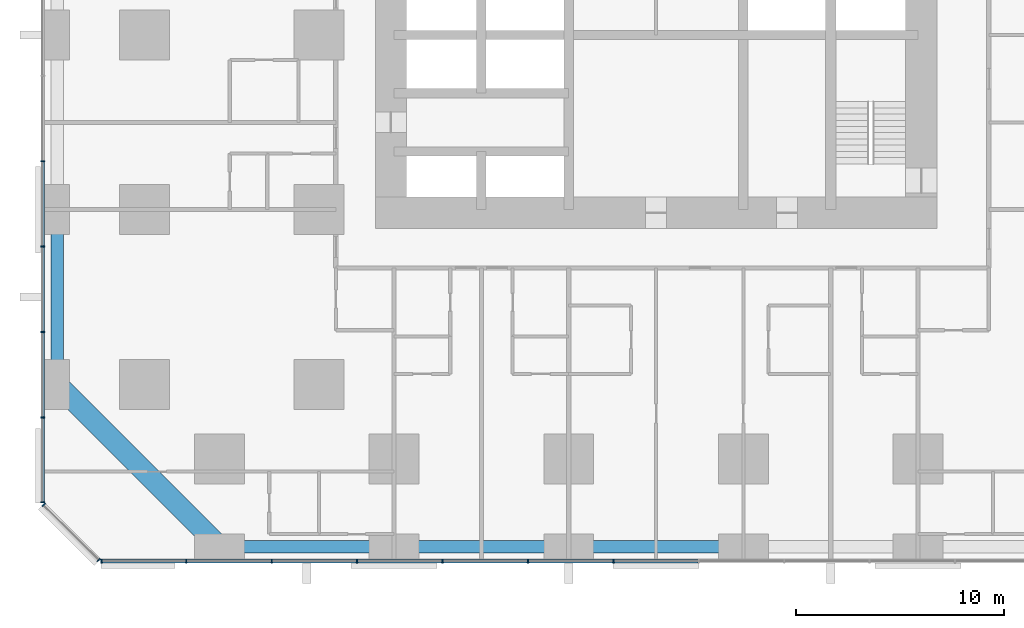
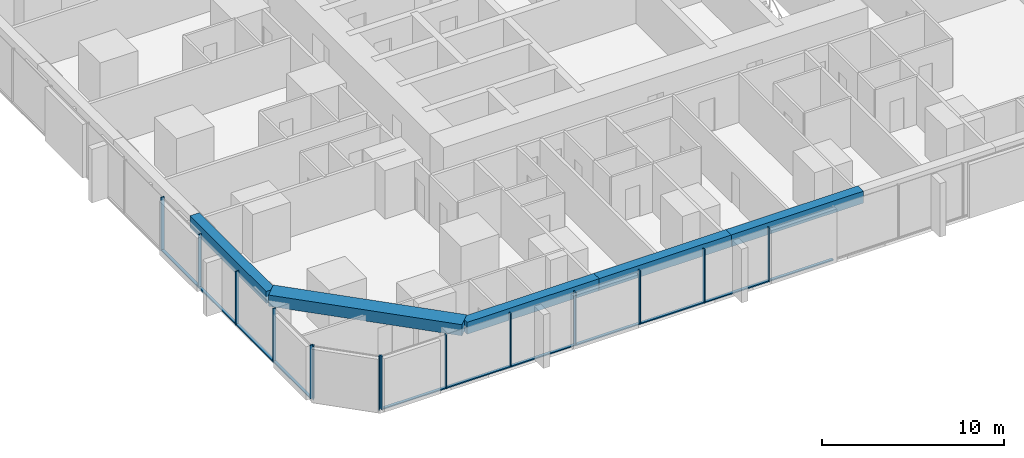
# One storey, part 2 of 17: 25 members, 5 beams, 3 elements without a shape of their own.
"""IFC4 building model written with IfcOpenShell, lengths in metres."""

import ifcopenshell
import ifcopenshell.guid

model = None  # the IFC model being written
_history = None  # IfcOwnerHistory: only IFC2X3 demands one
_inside = {}  # id of a spatial element -> (the spatial element, [elements in it])
_under = {}  # id of a project, library or spatial element -> (it, [spatial elements below it])
_declared = {}  # id of a project -> (the project, [libraries it declares])
_typed = {}  # id of a type object -> (the type object, [elements of that type])
_made_of = {}  # id of a material, layer set ... -> (it, [elements and type objects made of it])


def new_model(schema):
    """Start an empty IFC model of exactly this schema.

    Asked for "IFC4X3", IfcOpenShell would pick the latest addendum, in which some entities
    have other attributes; the version numbers below select the first issue.
    IFC2X3 requires an IfcOwnerHistory on every rooted entity: one is made here for all.
    """
    global model, _history
    if schema == "IFC4X3":
        model = ifcopenshell.file(schema_version=(4, 3, 0, 0))
    else:
        model = ifcopenshell.file(schema=schema)
    _inside.clear()
    _under.clear()
    _declared.clear()
    _typed.clear()
    _made_of.clear()
    _history = None
    if model.schema == "IFC2X3":
        org = make("IfcOrganization", Name="unknown")
        user = make(
            "IfcPersonAndOrganization",
            ThePerson=make("IfcPerson", FamilyName="unknown"),
            TheOrganization=org,
        )
        app = make(
            "IfcApplication",
            ApplicationDeveloper=org,
            Version="unknown",
            ApplicationFullName="unknown",
            ApplicationIdentifier="unknown",
        )
        _history = make(
            "IfcOwnerHistory",
            OwningUser=user,
            OwningApplication=app,
            ChangeAction="ADDED",
            CreationDate=0,
        )
    return model


def make(cls, **values):
    """One entity of the class cls with the attributes given. An attribute that is None is left unset."""
    return model.create_entity(
        cls, **{name: value for name, value in values.items() if value is not None}
    )


def rooted(cls, **values):
    """An entity with a GlobalId (a new one), such as an element, a storey or a relation."""
    return make(cls, GlobalId=ifcopenshell.guid.new(), OwnerHistory=_history, **values)


def si_unit(unit_type, name, prefix=None):
    """IfcSIUnit, for example si_unit("LENGTHUNIT", "METRE", prefix="MILLI")."""
    return make("IfcSIUnit", UnitType=unit_type, Prefix=prefix, Name=name)


def assignment(units):
    """IfcUnitAssignment: the units of a project."""
    return None if units is None else make("IfcUnitAssignment", Units=units)


def point(xyz):
    """IfcCartesianPoint."""
    return None if xyz is None else make("IfcCartesianPoint", Coordinates=xyz)


def direction(xyz):
    """IfcDirection."""
    return None if xyz is None else make("IfcDirection", DirectionRatios=xyz)


def frame(location, z_axis=None, x_axis=None):
    """IfcAxis2Placement3D, a coordinate frame: its origin and axes. An axis left out is left unset."""
    return make(
        "IfcAxis2Placement3D",
        Location=point(location),
        Axis=direction(z_axis),
        RefDirection=direction(x_axis),
    )


def frame_2d(location, x_axis=None):
    """IfcAxis2Placement2D, a coordinate frame in the plane: its origin and x axis."""
    return make(
        "IfcAxis2Placement2D", Location=point(location), RefDirection=direction(x_axis)
    )


def origin():
    """The frame at (0, 0, 0) with its axes left unset."""
    return frame((0.0, 0.0, 0.0))


def origin_2d():
    """The frame at (0, 0) in the plane with its x axis left unset."""
    return frame_2d((0.0, 0.0))


def place(relative_to, where):
    """IfcLocalPlacement: puts the frame where relative to a parent placement (None: the world)."""
    return make(
        "IfcLocalPlacement", PlacementRelTo=relative_to, RelativePlacement=where
    )


def context(
    kind, dimensions, precision=None, world=None, true_north=None, identifier=None
):
    """IfcGeometricRepresentationContext, for example the 3D "Model" context."""
    return make(
        "IfcGeometricRepresentationContext",
        ContextIdentifier=identifier,
        ContextType=kind,
        CoordinateSpaceDimension=dimensions,
        Precision=precision,
        WorldCoordinateSystem=world,
        TrueNorth=true_north,
    )


def subcontext(parent, identifier, kind, view, scale=None):
    """IfcGeometricRepresentationSubContext, for example "Body" below "Model"."""
    return make(
        "IfcGeometricRepresentationSubContext",
        ContextIdentifier=identifier,
        ContextType=kind,
        ParentContext=parent,
        TargetScale=scale,
        TargetView=view,
    )


def project(units=None, contexts=None):
    """IfcProject with its units and contexts."""
    return rooted(
        "IfcProject",
        Name="project",
        RepresentationContexts=contexts,
        UnitsInContext=assignment(units),
    )


def spatial(cls, under=None, at=None, **own):
    """A site, building, storey or space (cls), placed at a placement, below another one or the project."""
    s = rooted(cls, ObjectPlacement=at, **own)
    if under is not None:
        _under.setdefault(under.id(), (under, []))[1].append(s)
    return s


def profile(cls, at=None, kind="AREA", **sizes):
    """A parametric profile (cls). Its sizes go by their IFC names, for example OverallWidth=200.0."""
    return make(cls, ProfileType=kind, Position=at, **sizes)


def rectangle(**sizes):
    """IfcRectangleProfileDef."""
    return profile("IfcRectangleProfileDef", **sizes)


def extrude(swept, where, along, depth):
    """IfcExtrudedAreaSolid: the profile swept, set in the frame where, extruded along a direction by depth."""
    return make(
        "IfcExtrudedAreaSolid",
        SweptArea=swept,
        Position=where,
        ExtrudedDirection=direction(along),
        Depth=depth,
    )


def shape(context_of_items, identifier, shape_type, items):
    """IfcShapeRepresentation: the items that make up one representation, for example the "Body"."""
    return make(
        "IfcShapeRepresentation",
        ContextOfItems=context_of_items,
        RepresentationIdentifier=identifier,
        RepresentationType=shape_type,
        Items=items,
    )


def material(Name=None, Category=None):
    """IfcMaterial."""
    return make("IfcMaterial", Name=Name, Category=Category)


def material_profile(
    of_material, cross_section, Name=None, Category=None, Priority=None
):
    """IfcMaterialProfile: a cross section and its material."""
    return make(
        "IfcMaterialProfile",
        Name=Name,
        Material=of_material,
        Profile=cross_section,
        Priority=Priority,
        Category=Category,
    )


def profile_set(profiles, Name=None, composite=None):
    """IfcMaterialProfileSet."""
    return make(
        "IfcMaterialProfileSet",
        Name=Name,
        MaterialProfiles=profiles,
        CompositeProfile=composite,
    )


def made_of(thing, what):
    """Note that an element or type object is made of a material, layer set ...; save() writes the relation."""
    if what is not None:
        _made_of.setdefault(what.id(), (what, []))[1].append(thing)
    return thing


def type_object(cls, material=None, **own):
    """A type object (cls), such as IfcWallType, which elements share."""
    return made_of(rooted(cls, **own), material)


def element(
    cls,
    number,
    at=None,
    inside=None,
    cuts=None,
    type_object=None,
    material=None,
    context=None,
    identifier="Body",
    shape_type=None,
    held_by="IfcProductDefinitionShape",
    body=None,
    shapes=None,
    **own,
):
    """One element of the class cls, such as IfcWall. Its Tag is "e" and its number.

    at: its placement. inside: the storey or other place that contains it. cuts: it is an
    opening in that element (IfcRelVoidsElement). A single representation is given by context,
    identifier, shape_type and body (its items); several are given by shapes. held_by: the class
    of the entity that holds the representations. save() writes the other relations.
    """
    e = rooted(cls, Tag="e%d" % number, ObjectPlacement=at, **own)
    if body is not None:
        shapes = [shape(context, identifier, shape_type, body)]
    if shapes is not None:
        e.Representation = make(held_by, Representations=shapes)
    if inside is not None:
        _inside.setdefault(inside.id(), (inside, []))[1].append(e)
    if cuts is not None:
        rooted(
            "IfcRelVoidsElement", RelatingBuildingElement=cuts, RelatedOpeningElement=e
        )
    if type_object is not None:
        _typed.setdefault(type_object.id(), (type_object, []))[1].append(e)
    return made_of(e, material)


def aggregate(whole, parts):
    """IfcRelAggregates: a whole, such as a stair, and the parts it consists of."""
    return rooted("IfcRelAggregates", RelatingObject=whole, RelatedObjects=parts)


def save(model, path):
    """Write the relations noted so far, then the file.

    IfcRelAggregates (storeys below a building ...), IfcRelContainedInSpatialStructure (elements
    in a storey), IfcRelDefinesByType, IfcRelAssociatesMaterial and IfcRelDeclares: one each for
    every whole, place, type object, material and project.
    """
    for whole, parts in _under.values():
        aggregate(whole, parts)
    for where, things in _inside.values():
        rooted(
            "IfcRelContainedInSpatialStructure",
            RelatedElements=things,
            RelatingStructure=where,
        )
    for kind, things in _typed.values():
        rooted("IfcRelDefinesByType", RelatedObjects=things, RelatingType=kind)
    for what, things in _made_of.values():
        rooted("IfcRelAssociatesMaterial", RelatedObjects=things, RelatingMaterial=what)
    for by, libraries in _declared.values():
        rooted("IfcRelDeclares", RelatingContext=by, RelatedDefinitions=libraries)
    model.write(path)


model = new_model("IFC4")

# Units and contexts
model_context = context("Model", 3, precision=1e-05, world=origin(), true_north=direction((0.0, 1.0)))
body_context = subcontext(model_context, "Body", "Model", "MODEL_VIEW")
ifc_project = project(units=[si_unit("LENGTHUNIT", "METRE"), si_unit("AREAUNIT", "SQUARE_METRE"), si_unit("VOLUMEUNIT", "CUBIC_METRE"), si_unit("PLANEANGLEUNIT", "RADIAN"), si_unit("MASSUNIT", "GRAM", prefix="KILO")], contexts=[model_context])

# Site, building, storey
site_placement = place(None, origin())
site = spatial("IfcSite", under=ifc_project, at=site_placement, CompositionType="ELEMENT")
building_placement = place(site_placement, origin())
building = spatial("IfcBuilding", under=site, at=building_placement, Name="Dunama Terrace Hotel", CompositionType="ELEMENT")
storey_placement = place(building_placement, frame((0.0, 0.0, 81.0)))
storey = spatial("IfcBuildingStorey", under=building, at=storey_placement, Name="L20", CompositionType="ELEMENT", Elevation=81.0)

# Curtain wall, members
ifc_material_1 = material(Name="Aluminium curtain wall system", Category="aluminium")
curtain_wall_type = type_object("IfcCurtainWallType", Name="Unitised fritted glass wall CW-A", PredefinedType="NOTDEFINED", material=ifc_material_1)
curtain_wall_1_placement = place(storey_placement, origin())
curtain_wall_1 = element("IfcCurtainWall", 1, at=curtain_wall_1_placement, inside=storey, type_object=curtain_wall_type, Name="Unitised fritted glass wall CW-A L20", PredefinedType="NOTDEFINED")
ifc_material_2 = material(Name="Aluminium mullion", Category="aluminium")
ifc_material_profile_1 = material_profile(ifc_material_2, rectangle(XDim=0.06494140625, YDim=0.199951171875, at=origin_2d()), Name="CWA MULLION 65X200")
ifc_profile_set_1 = profile_set([ifc_material_profile_1], Name="Aluminium mullion")
member_type_1 = type_object("IfcMemberType", Name="CWA mullion 65x200", PredefinedType="MULLION", material=ifc_profile_set_1)
member_1_placement = place(storey_placement, frame((2.73291015625, -0.10009765625, 0.0), z_axis=(0.0, 0.0, 1.0), x_axis=(1.0, 0.0, 0.0)))
member_1 = element("IfcMember", 2, at=member_1_placement, type_object=member_type_1, Name="CWA mullion", PredefinedType="MULLION", context=body_context, shape_type="SweptSolid", body=[
    extrude(rectangle(XDim=0.06494140625, YDim=0.199951171875, at=origin_2d()), origin(), (0.0, 0.0, 1.0), 3.60009765625),
])
member_2_placement = place(storey_placement, frame((6.80810546875, -0.10009765625, 0.0), z_axis=(0.0, 0.0, 1.0), x_axis=(1.0, 0.0, 0.0)))
member_2 = element("IfcMember", 3, at=member_2_placement, type_object=member_type_1, Name="CWA mullion", PredefinedType="MULLION", context=body_context, shape_type="SweptSolid", body=[
    extrude(rectangle(XDim=0.06494140625, YDim=0.199951171875, at=origin_2d()), origin(), (0.0, 0.0, 1.0), 3.60009765625),
])
member_3_placement = place(storey_placement, frame((10.9150390625, -0.10009765625, 0.0), z_axis=(0.0, 0.0, 1.0), x_axis=(1.0, 0.0, 0.0)))
member_3 = element("IfcMember", 4, at=member_3_placement, type_object=member_type_1, Name="CWA mullion", PredefinedType="MULLION", context=body_context, shape_type="SweptSolid", body=[
    extrude(rectangle(XDim=0.06494140625, YDim=0.199951171875, at=origin_2d()), origin(), (0.0, 0.0, 1.0), 3.60009765625),
])
member_4_placement = place(storey_placement, frame((15.02294921875, -0.10009765625, 0.0), z_axis=(0.0, 0.0, 1.0), x_axis=(1.0, 0.0, 0.0)))
member_4 = element("IfcMember", 5, at=member_4_placement, type_object=member_type_1, Name="CWA mullion", PredefinedType="MULLION", context=body_context, shape_type="SweptSolid", body=[
    extrude(rectangle(XDim=0.06494140625, YDim=0.199951171875, at=origin_2d()), origin(), (0.0, 0.0, 1.0), 3.60009765625),
])
member_5_placement = place(storey_placement, frame((19.131103515625, -0.10009765625, 0.0), z_axis=(0.0, 0.0, 1.0), x_axis=(1.0, 0.0, 0.0)))
member_5 = element("IfcMember", 6, at=member_5_placement, type_object=member_type_1, Name="CWA mullion", PredefinedType="MULLION", context=body_context, shape_type="SweptSolid", body=[
    extrude(rectangle(XDim=0.06494140625, YDim=0.199951171875, at=origin_2d()), origin(), (0.0, 0.0, 1.0), 3.60009765625),
])
member_6_placement = place(storey_placement, frame((23.238037109375, -0.10009765625, 0.0), z_axis=(0.0, 0.0, 1.0), x_axis=(1.0, 0.0, 0.0)))
member_6 = element("IfcMember", 7, at=member_6_placement, type_object=member_type_1, Name="CWA mullion", PredefinedType="MULLION", context=body_context, shape_type="SweptSolid", body=[
    extrude(rectangle(XDim=0.06494140625, YDim=0.199951171875, at=origin_2d()), origin(), (0.0, 0.0, 1.0), 3.60009765625),
])
member_7_placement = place(storey_placement, frame((27.345947265625, -0.10009765625, 0.0), z_axis=(0.0, 0.0, 1.0), x_axis=(1.0, 0.0, 0.0)))
member_7 = element("IfcMember", 8, at=member_7_placement, type_object=member_type_1, Name="CWA mullion", PredefinedType="MULLION", context=body_context, shape_type="SweptSolid", body=[
    extrude(rectangle(XDim=0.06494140625, YDim=0.199951171875, at=origin_2d()), origin(), (0.0, 0.0, 1.0), 3.60009765625),
])

curtain_wall_2_placement = place(storey_placement, origin())
curtain_wall_2 = element("IfcCurtainWall", 9, at=curtain_wall_2_placement, inside=storey, type_object=curtain_wall_type, Name="Unitised fritted glass wall CW-A L20", PredefinedType="NOTDEFINED")
member_8_placement = place(storey_placement, frame((-0.10009765625, 19.131103515625, 0.0), z_axis=(0.0, 0.0, 1.0), x_axis=(0.0, -1.0, 0.0)))
member_8 = element("IfcMember", 10, at=member_8_placement, type_object=member_type_1, Name="CWA mullion", PredefinedType="MULLION", context=body_context, shape_type="SweptSolid", body=[
    extrude(rectangle(XDim=0.06494140625, YDim=0.199951171875, at=origin_2d()), origin(), (0.0, 0.0, 1.0), 3.60009765625),
])
member_9_placement = place(storey_placement, frame((-0.10009765625, 15.02294921875, 0.0), z_axis=(0.0, 0.0, 1.0), x_axis=(0.0, -1.0, 0.0)))
member_9 = element("IfcMember", 11, at=member_9_placement, type_object=member_type_1, Name="CWA mullion", PredefinedType="MULLION", context=body_context, shape_type="SweptSolid", body=[
    extrude(rectangle(XDim=0.06494140625, YDim=0.199951171875, at=origin_2d()), origin(), (0.0, 0.0, 1.0), 3.60009765625),
])
member_10_placement = place(storey_placement, frame((-0.10009765625, 10.9150390625, 0.0), z_axis=(0.0, 0.0, 1.0), x_axis=(0.0, -1.0, 0.0)))
member_10 = element("IfcMember", 12, at=member_10_placement, type_object=member_type_1, Name="CWA mullion", PredefinedType="MULLION", context=body_context, shape_type="SweptSolid", body=[
    extrude(rectangle(XDim=0.06494140625, YDim=0.199951171875, at=origin_2d()), origin(), (0.0, 0.0, 1.0), 3.60009765625),
])
member_11_placement = place(storey_placement, frame((-0.10009765625, 6.80810546875, 0.0), z_axis=(0.0, 0.0, 1.0), x_axis=(0.0, -1.0, 0.0)))
member_11 = element("IfcMember", 13, at=member_11_placement, type_object=member_type_1, Name="CWA mullion", PredefinedType="MULLION", context=body_context, shape_type="SweptSolid", body=[
    extrude(rectangle(XDim=0.06494140625, YDim=0.199951171875, at=origin_2d()), origin(), (0.0, 0.0, 1.0), 3.60009765625),
])
member_12_placement = place(storey_placement, frame((-0.10009765625, 2.73291015625, 0.0), z_axis=(0.0, 0.0, 1.0), x_axis=(0.0, -1.0, 0.0)))
member_12 = element("IfcMember", 14, at=member_12_placement, type_object=member_type_1, Name="CWA mullion", PredefinedType="MULLION", context=body_context, shape_type="SweptSolid", body=[
    extrude(rectangle(XDim=0.06494140625, YDim=0.199951171875, at=origin_2d()), origin(), (0.0, 0.0, 1.0), 3.60009765625),
])

curtain_wall_3_placement = place(storey_placement, origin())
curtain_wall_3 = element("IfcCurtainWall", 15, at=curtain_wall_3_placement, inside=storey, type_object=curtain_wall_type, Name="Unitised fritted glass wall CW-A L20", PredefinedType="NOTDEFINED")
member_13_placement = place(storey_placement, frame((-0.048095703125, 2.60595703125, 0.0), z_axis=(0.0, 0.0, 1.0), x_axis=(0.707106781187, -0.707106781187, 0.0)))
member_13 = element("IfcMember", 16, at=member_13_placement, type_object=member_type_1, Name="CWA mullion", PredefinedType="MULLION", context=body_context, shape_type="SweptSolid", body=[
    extrude(rectangle(XDim=0.06494140625, YDim=0.199951171875, at=origin_2d()), origin(), (0.0, 0.0, 1.0), 3.60009765625),
])
member_14_placement = place(storey_placement, frame((2.60595703125, -0.048095703125, 0.0), z_axis=(0.0, 0.0, 1.0), x_axis=(0.707106781187, -0.707106781187, 0.0)))
member_14 = element("IfcMember", 17, at=member_14_placement, type_object=member_type_1, Name="CWA mullion", PredefinedType="MULLION", context=body_context, shape_type="SweptSolid", body=[
    extrude(rectangle(XDim=0.06494140625, YDim=0.199951171875, at=origin_2d()), origin(), (0.0, 0.0, 1.0), 3.60009765625),
])
aggregate(curtain_wall_3, [member_13, member_14])

# Member
ifc_material_3 = material(Name="Aluminium transom", Category="aluminium")
ifc_material_profile_2 = material_profile(ifc_material_3, rectangle(XDim=0.179931640625, YDim=0.074951171875, at=origin_2d()), Name="CWA TRANSOM 180X75")
ifc_profile_set_2 = profile_set([ifc_material_profile_2], Name="Aluminium transom")
member_type_2 = type_object("IfcMemberType", Name="CWA transom 180x75", PredefinedType="USERDEFINED", material=ifc_profile_set_2)
member_15_placement = place(storey_placement, frame((2.764892578125, -0.10009765625, 0.03759765625), z_axis=(1.0, 0.0, 0.0), x_axis=(0.0, 1.0, 0.0)))
member_15 = element("IfcMember", 18, at=member_15_placement, type_object=member_type_2, Name="CWA transom", ObjectType="TRANSOM", PredefinedType="USERDEFINED", context=body_context, shape_type="SweptSolid", body=[
    extrude(rectangle(XDim=0.179931640625, YDim=0.074951171875, at=origin_2d()), origin(), (0.0, 0.0, 1.0), 4.010009765625),
])

member_16_placement = place(storey_placement, frame((6.840087890625, -0.10009765625, 0.03759765625), z_axis=(1.0, 0.0, 0.0), x_axis=(0.0, 1.0, 0.0)))
member_16 = element("IfcMember", 19, at=member_16_placement, type_object=member_type_2, Name="CWA transom", ObjectType="TRANSOM", PredefinedType="USERDEFINED", context=body_context, shape_type="SweptSolid", body=[
    extrude(rectangle(XDim=0.179931640625, YDim=0.074951171875, at=origin_2d()), origin(), (0.0, 0.0, 1.0), 4.04296875),
])

member_17_placement = place(storey_placement, frame((10.947998046875, -0.10009765625, 0.03759765625), z_axis=(1.0, 0.0, 0.0), x_axis=(0.0, 1.0, 0.0)))
member_17 = element("IfcMember", 20, at=member_17_placement, type_object=member_type_2, Name="CWA transom", ObjectType="TRANSOM", PredefinedType="USERDEFINED", context=body_context, shape_type="SweptSolid", body=[
    extrude(rectangle(XDim=0.179931640625, YDim=0.074951171875, at=origin_2d()), origin(), (0.0, 0.0, 1.0), 4.04296875),
])

member_18_placement = place(storey_placement, frame((15.055908203125, -0.10009765625, 0.03759765625), z_axis=(1.0, 0.0, 0.0), x_axis=(0.0, 1.0, 0.0)))
member_18 = element("IfcMember", 21, at=member_18_placement, type_object=member_type_2, Name="CWA transom", ObjectType="TRANSOM", PredefinedType="USERDEFINED", context=body_context, shape_type="SweptSolid", body=[
    extrude(rectangle(XDim=0.179931640625, YDim=0.074951171875, at=origin_2d()), origin(), (0.0, 0.0, 1.0), 4.0419921875),
])

member_19_placement = place(storey_placement, frame((19.1630859375, -0.10009765625, 0.03759765625), z_axis=(1.0, 0.0, 0.0), x_axis=(0.0, 1.0, 0.0)))
member_19 = element("IfcMember", 22, at=member_19_placement, type_object=member_type_2, Name="CWA transom", ObjectType="TRANSOM", PredefinedType="USERDEFINED", context=body_context, shape_type="SweptSolid", body=[
    extrude(rectangle(XDim=0.179931640625, YDim=0.074951171875, at=origin_2d()), origin(), (0.0, 0.0, 1.0), 4.04296875),
])

member_20_placement = place(storey_placement, frame((23.27099609375, -0.10009765625, 0.03759765625), z_axis=(1.0, 0.0, 0.0), x_axis=(0.0, 1.0, 0.0)))
member_20 = element("IfcMember", 23, at=member_20_placement, type_object=member_type_2, Name="CWA transom", ObjectType="TRANSOM", PredefinedType="USERDEFINED", context=body_context, shape_type="SweptSolid", body=[
    extrude(rectangle(XDim=0.179931640625, YDim=0.074951171875, at=origin_2d()), origin(), (0.0, 0.0, 1.0), 4.04296875),
])

member_21_placement = place(storey_placement, frame((27.37890625, -0.10009765625, 0.03759765625), z_axis=(1.0, 0.0, 0.0), x_axis=(0.0, 1.0, 0.0)))
member_21 = element("IfcMember", 24, at=member_21_placement, type_object=member_type_2, Name="CWA transom", ObjectType="TRANSOM", PredefinedType="USERDEFINED", context=body_context, shape_type="SweptSolid", body=[
    extrude(rectangle(XDim=0.179931640625, YDim=0.074951171875, at=origin_2d()), origin(), (0.0, 0.0, 1.0), 4.0419921875),
])

aggregate(curtain_wall_1, [member_1, member_2, member_3, member_4, member_5, member_6, member_7, member_15, member_16, member_17, member_18, member_19, member_20, member_21])

member_22_placement = place(storey_placement, frame((-0.10009765625, 19.097900390625, 0.03759765625), z_axis=(0.0, -1.0, 0.0), x_axis=(1.0, 0.0, 0.0)))
member_22 = element("IfcMember", 25, at=member_22_placement, type_object=member_type_2, Name="CWA transom", ObjectType="TRANSOM", PredefinedType="USERDEFINED", context=body_context, shape_type="SweptSolid", body=[
    extrude(rectangle(XDim=0.179931640625, YDim=0.074951171875, at=origin_2d()), origin(), (0.0, 0.0, 1.0), 4.0419921875),
])

member_23_placement = place(storey_placement, frame((-0.10009765625, 14.990966796875, 0.03759765625), z_axis=(0.0, -1.0, 0.0), x_axis=(1.0, 0.0, 0.0)))
member_23 = element("IfcMember", 26, at=member_23_placement, type_object=member_type_2, Name="CWA transom", ObjectType="TRANSOM", PredefinedType="USERDEFINED", context=body_context, shape_type="SweptSolid", body=[
    extrude(rectangle(XDim=0.179931640625, YDim=0.074951171875, at=origin_2d()), origin(), (0.0, 0.0, 1.0), 4.04296875),
])

member_24_placement = place(storey_placement, frame((-0.10009765625, 10.883056640625, 0.03759765625), z_axis=(0.0, -1.0, 0.0), x_axis=(1.0, 0.0, 0.0)))
member_24 = element("IfcMember", 27, at=member_24_placement, type_object=member_type_2, Name="CWA transom", ObjectType="TRANSOM", PredefinedType="USERDEFINED", context=body_context, shape_type="SweptSolid", body=[
    extrude(rectangle(XDim=0.179931640625, YDim=0.074951171875, at=origin_2d()), origin(), (0.0, 0.0, 1.0), 4.04296875),
])

member_25_placement = place(storey_placement, frame((-0.10009765625, 6.77490234375, 0.03759765625), z_axis=(0.0, -1.0, 0.0), x_axis=(1.0, 0.0, 0.0)))
member_25 = element("IfcMember", 28, at=member_25_placement, type_object=member_type_2, Name="CWA transom", ObjectType="TRANSOM", PredefinedType="USERDEFINED", context=body_context, shape_type="SweptSolid", body=[
    extrude(rectangle(XDim=0.179931640625, YDim=0.074951171875, at=origin_2d()), origin(), (0.0, 0.0, 1.0), 4.010009765625),
])

aggregate(curtain_wall_2, [member_8, member_9, member_10, member_11, member_12, member_22, member_23, member_24, member_25])

# Beams
ifc_material_4 = material(Name="Concrete C50/60", Category="concrete")
ifc_material_profile_3 = material_profile(ifc_material_4, rectangle(XDim=1.0, YDim=0.75, at=origin_2d()), Name="RC 1000x750")
ifc_profile_set_3 = profile_set([ifc_material_profile_3], Name="Concrete C50/60")
beam_type_1 = type_object("IfcBeamType", Name="Edge beam RC 1000x750", PredefinedType="SPANDREL", material=ifc_profile_set_3)
beam_1_placement = place(storey_placement, frame((8.39990234375, 0.60009765625, 3.22509765625), z_axis=(-0.707106781187, 0.707106781187, 0.0), x_axis=(-0.707106781187, -0.707106781187, 0.0)))
element("IfcBeam", 29, at=beam_1_placement, inside=storey, type_object=beam_type_1, Name="Corner edge beam under L21", PredefinedType="SPANDREL", context=body_context, shape_type="SweptSolid", body=[
    extrude(rectangle(XDim=1.0, YDim=0.75, at=origin_2d()), origin(), (0.0, 0.0, 1.0), 11.030517578125),
])
ifc_material_5 = material(Name="Concrete C40/50", Category="concrete")
ifc_material_profile_4 = material_profile(ifc_material_5, rectangle(XDim=0.60009765625, YDim=0.800048828125, at=origin_2d()), Name="RC 600x800")
ifc_profile_set_4 = profile_set([ifc_material_profile_4], Name="Concrete C40/50")
beam_type_2 = type_object("IfcBeamType", Name="Edge beam RC 600x800", PredefinedType="SPANDREL", material=ifc_profile_set_4)
for number, where, z_axis, x_axis, name in (
    (30, (0.60009765625, 8.39990234375, 3.199951171875), (0.0, 1.0, 0.0), (-1.0, 0.0, 0.0), "Edge beam under L21"),
    (31, (8.39990234375, 0.60009765625, 3.199951171875), (1.0, 0.0, 0.0), (0.0, 1.0, 0.0), "Edge beam under L21"),
):
    element("IfcBeam", number, at=place(storey_placement, frame(where, z_axis=z_axis, x_axis=x_axis)), inside=storey, type_object=beam_type_2, Name=name, PredefinedType="SPANDREL", context=body_context, shape_type="SweptSolid", body=[
        extrude(rectangle(XDim=0.60009765625, YDim=0.800048828125, at=origin_2d()), origin(), (0.0, 0.0, 1.0), 8.400146484375),
    ])
beam_2_placement = place(storey_placement, frame((16.800048828125, 0.60009765625, 3.199951171875), z_axis=(1.0, 0.0, 0.0), x_axis=(0.0, 1.0, 0.0)))
element("IfcBeam", 32, at=beam_2_placement, inside=storey, type_object=beam_type_2, Name="Edge beam under L21", PredefinedType="SPANDREL", context=body_context, shape_type="SweptSolid", body=[
    extrude(rectangle(XDim=0.60009765625, YDim=0.800048828125, at=origin_2d()), origin(), (0.0, 0.0, 1.0), 8.39990234375),
])
beam_3_placement = place(storey_placement, frame((25.199951171875, 0.60009765625, 3.199951171875), z_axis=(1.0, 0.0, 0.0), x_axis=(0.0, 1.0, 0.0)))
element("IfcBeam", 33, at=beam_3_placement, inside=storey, type_object=beam_type_2, Name="Edge beam under L21", PredefinedType="SPANDREL", context=body_context, shape_type="SweptSolid", body=[
    extrude(rectangle(XDim=0.60009765625, YDim=0.800048828125, at=origin_2d()), origin(), (0.0, 0.0, 1.0), 8.400146484375),
])

save(model, "model.ifc")
